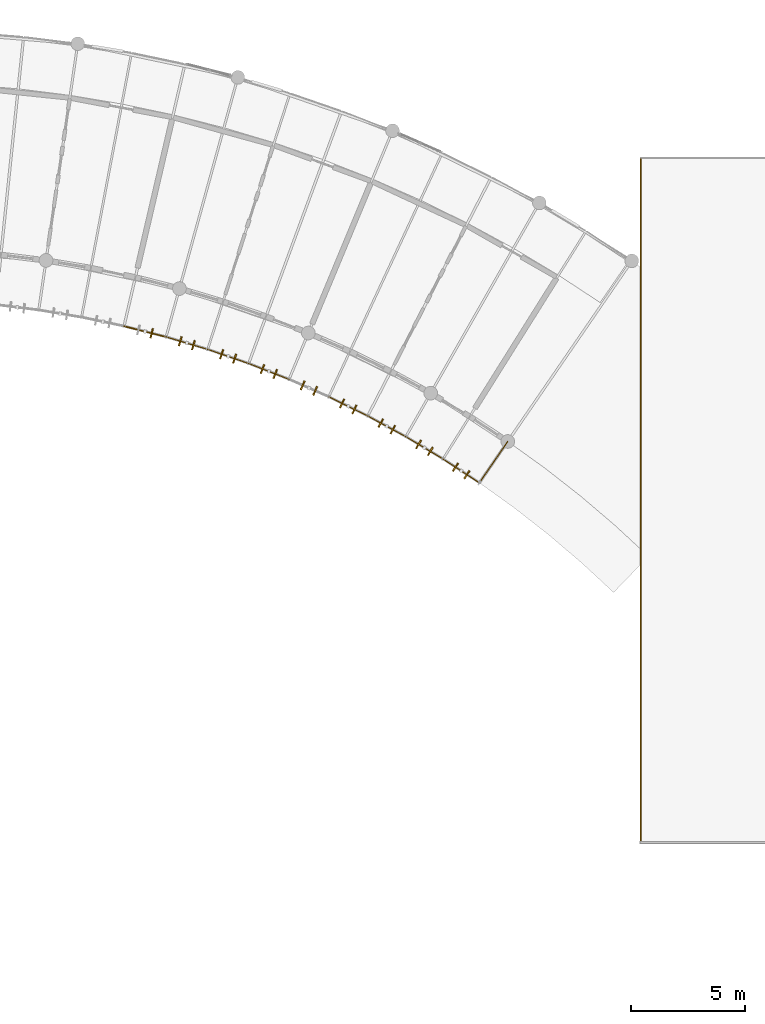
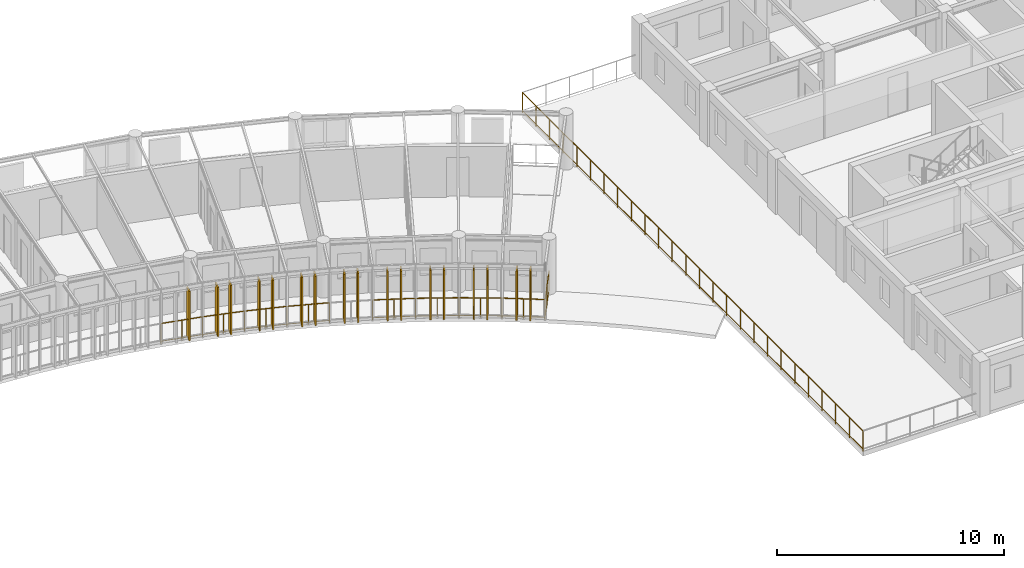
# One storey, part 99 of 101: 17 shading devices, 10 railings.
"""IFC4 building model written with IfcOpenShell, lengths in metres."""

from ifc_helpers import new_model, si_unit, direction, frame, origin, origin_2d, place, context, subcontext, project, spatial, rectangle, circle, extrude, material, layer, layer_set, type_object, element, save


model = new_model("IFC4")

# Units and contexts
model_context = context("Model", 3, precision=1e-05, world=origin(), true_north=direction((0.0, 1.0)))
body_context = subcontext(model_context, "Body", "Model", "MODEL_VIEW")
ifc_project = project(units=[si_unit("LENGTHUNIT", "METRE"), si_unit("AREAUNIT", "SQUARE_METRE"), si_unit("VOLUMEUNIT", "CUBIC_METRE"), si_unit("PLANEANGLEUNIT", "RADIAN"), si_unit("MASSUNIT", "GRAM", prefix="KILO"), si_unit("POWERUNIT", "WATT"), si_unit("THERMODYNAMICTEMPERATUREUNIT", "KELVIN")], contexts=[model_context])

# Site, building, storey
site_placement = place(None, origin())
site = spatial("IfcSite", under=ifc_project, at=site_placement, CompositionType="ELEMENT")
building_placement = place(site_placement, origin())
building = spatial("IfcBuilding", under=site, at=building_placement, Name="Ruvembo Vaulted Housing Court", CompositionType="ELEMENT")
storey_placement = place(building_placement, frame((0.0, 0.0, 17.300048828125)))
storey = spatial("IfcBuildingStorey", under=building, at=storey_placement, Name="L05", CompositionType="ELEMENT", Elevation=17.300048828125)

# Railings
ifc_material_1 = material(Name="Galvanised Painted Steel and Laminated Glass", Category="steel")
ifc_layer_1 = layer(ifc_material_1, 0.070068359375, Name="Galvanised Painted Steel and Laminated Glass")
ifc_layer_set_1 = layer_set([ifc_layer_1], Name="Galvanised Painted Steel and Laminated Glass")
railing_type_1 = type_object("IfcRailingType", Name="RL-BALUST-1120", PredefinedType="BALUSTRADE", material=ifc_layer_set_1)
railing_1_placement = place(storey_placement, frame((150.0, 72.0, 0.0)))
element("IfcRailing", 1, at=railing_1_placement, inside=storey, type_object=railing_type_1, Name="L05 Perimeter Guard RL-EXT-L05-0014", PredefinedType="BALUSTRADE", context=body_context, shape_type="SweptSolid", body=[
    extrude(circle(Radius=0.02392578125, at=origin_2d()), frame((0.0, 0.0, 1.09619140625), z_axis=(0.0, 1.0, 0.0), x_axis=(-1.0, 0.0, 0.0)), (0.0, 0.0, 1.0), 30.0),
    extrude(circle(Radius=0.01806640625, at=origin_2d()), frame((0.0, 0.0, 0.1201171875), z_axis=(0.0, 1.0, 0.0), x_axis=(-1.0, 0.0, 0.0)), (0.0, 0.0, 1.0), 30.0),
    extrude(circle(Radius=0.02099609375, at=origin_2d()), origin(), (0.0, 0.0, 1.0), 1.072021484375),
    extrude(circle(Radius=0.02099609375, at=origin_2d()), frame((0.0, 1.199951171875, 0.0)), (0.0, 0.0, 1.0), 1.072021484375),
    extrude(circle(Radius=0.02099609375, at=origin_2d()), frame((0.0, 2.39990234375, 0.0)), (0.0, 0.0, 1.0), 1.072021484375),
    extrude(circle(Radius=0.02099609375, at=origin_2d()), frame((0.0, 3.60009765625, 0.0)), (0.0, 0.0, 1.0), 1.072021484375),
    extrude(circle(Radius=0.02099609375, at=origin_2d()), frame((0.0, 4.800048828125, 0.0)), (0.0, 0.0, 1.0), 1.072021484375),
    extrude(circle(Radius=0.02099609375, at=origin_2d()), frame((0.0, 6.0, 0.0)), (0.0, 0.0, 1.0), 1.072021484375),
    extrude(circle(Radius=0.02099609375, at=origin_2d()), frame((0.0, 7.199951171875, 0.0)), (0.0, 0.0, 1.0), 1.072021484375),
    extrude(circle(Radius=0.02099609375, at=origin_2d()), frame((0.0, 8.39990234375, 0.0)), (0.0, 0.0, 1.0), 1.072021484375),
    extrude(circle(Radius=0.02099609375, at=origin_2d()), frame((0.0, 9.60009765625, 0.0)), (0.0, 0.0, 1.0), 1.072021484375),
    extrude(circle(Radius=0.02099609375, at=origin_2d()), frame((0.0, 10.800048828125, 0.0)), (0.0, 0.0, 1.0), 1.072021484375),
    extrude(circle(Radius=0.02099609375, at=origin_2d()), frame((0.0, 12.0, 0.0)), (0.0, 0.0, 1.0), 1.072021484375),
    extrude(circle(Radius=0.02099609375, at=origin_2d()), frame((0.0, 13.199951171875, 0.0)), (0.0, 0.0, 1.0), 1.072021484375),
    extrude(circle(Radius=0.02099609375, at=origin_2d()), frame((0.0, 14.39990234375, 0.0)), (0.0, 0.0, 1.0), 1.072021484375),
    extrude(circle(Radius=0.02099609375, at=origin_2d()), frame((0.0, 15.60009765625, 0.0)), (0.0, 0.0, 1.0), 1.072021484375),
    extrude(circle(Radius=0.02099609375, at=origin_2d()), frame((0.0, 16.800048828125, 0.0)), (0.0, 0.0, 1.0), 1.072021484375),
    extrude(circle(Radius=0.02099609375, at=origin_2d()), frame((0.0, 18.0, 0.0)), (0.0, 0.0, 1.0), 1.072021484375),
    extrude(circle(Radius=0.02099609375, at=origin_2d()), frame((0.0, 19.199951171875, 0.0)), (0.0, 0.0, 1.0), 1.072021484375),
    extrude(circle(Radius=0.02099609375, at=origin_2d()), frame((0.0, 20.39990234375, 0.0)), (0.0, 0.0, 1.0), 1.072021484375),
    extrude(circle(Radius=0.02099609375, at=origin_2d()), frame((0.0, 21.60009765625, 0.0)), (0.0, 0.0, 1.0), 1.072021484375),
    extrude(circle(Radius=0.02099609375, at=origin_2d()), frame((0.0, 22.800048828125, 0.0)), (0.0, 0.0, 1.0), 1.072021484375),
    extrude(circle(Radius=0.02099609375, at=origin_2d()), frame((0.0, 24.0, 0.0)), (0.0, 0.0, 1.0), 1.072021484375),
    extrude(circle(Radius=0.02099609375, at=origin_2d()), frame((0.0, 25.199951171875, 0.0)), (0.0, 0.0, 1.0), 1.072021484375),
    extrude(circle(Radius=0.02099609375, at=origin_2d()), frame((0.0, 26.39990234375, 0.0)), (0.0, 0.0, 1.0), 1.072021484375),
    extrude(circle(Radius=0.02099609375, at=origin_2d()), frame((0.0, 27.60009765625, 0.0)), (0.0, 0.0, 1.0), 1.072021484375),
    extrude(circle(Radius=0.02099609375, at=origin_2d()), frame((0.0, 28.800048828125, 0.0)), (0.0, 0.0, 1.0), 1.072021484375),
    extrude(circle(Radius=0.02099609375, at=origin_2d()), frame((0.0, 30.0, 0.0)), (0.0, 0.0, 1.0), 1.072021484375),
])
ifc_material_2 = material(Name="Galvanised Painted Steel S275", Category="steel")
ifc_layer_2 = layer(ifc_material_2, 0.06005859375, Name="Galvanised Painted Steel S275")
ifc_layer_set_2 = layer_set([ifc_layer_2], Name="Galvanised Painted Steel S275")
railing_type_2 = type_object("IfcRailingType", Name="RL-GUARD-1100", PredefinedType="GUARDRAIL", material=ifc_layer_set_2)
railing_2_placement = place(storey_placement, frame((127.365966796875, 94.611572265625, 0.0)))
element("IfcRailing", 2, at=railing_2_placement, inside=storey, type_object=railing_type_2, Name="L05 Perimeter Guard RL-EXT-L05-0791", PredefinedType="GUARDRAIL", context=body_context, shape_type="SweptSolid", body=[
    extrude(circle(Radius=0.02392578125, at=origin_2d()), frame((0.0, 0.0, 1.076171875), z_axis=(0.969121730429, -0.246582788553, 0.0), x_axis=(0.246582788553, 0.969121730429, 0.0)), (0.0, 0.0, 1.0), 1.90087890625),
    extrude(circle(Radius=0.01806640625, at=origin_2d()), frame((0.0, 0.0, 0.1201171875), z_axis=(0.969121730429, -0.246582788553, 0.0), x_axis=(0.246582788553, 0.969121730429, 0.0)), (0.0, 0.0, 1.0), 1.90087890625),
    extrude(circle(Radius=0.02099609375, at=origin_2d()), origin(), (0.0, 0.0, 1.0), 1.052001953125),
    extrude(circle(Radius=0.02099609375, at=origin_2d()), frame((0.921142578125, -0.234375, 0.0)), (0.0, 0.0, 1.0), 1.052001953125),
    extrude(circle(Radius=0.02099609375, at=origin_2d()), frame((1.84228515625, -0.46875, 0.0)), (0.0, 0.0, 1.0), 1.052001953125),
])
railing_3_placement = place(storey_placement, frame((129.208251953125, 94.142822265625, 0.0)))
element("IfcRailing", 3, at=railing_3_placement, inside=storey, type_object=railing_type_2, Name="L05 Perimeter Guard RL-EXT-L05-0792", PredefinedType="GUARDRAIL", context=body_context, shape_type="SweptSolid", body=[
    extrude(circle(Radius=0.02392578125, at=origin_2d()), frame((0.0, 0.0, 1.076171875), z_axis=(0.958108609181, -0.286405120439, 0.0), x_axis=(0.286405120439, 0.958108609181, 0.0)), (0.0, 0.0, 1.0), 1.90087890625),
    extrude(circle(Radius=0.01806640625, at=origin_2d()), frame((0.0, 0.0, 0.1201171875), z_axis=(0.958108609181, -0.286405120439, 0.0), x_axis=(0.286405120439, 0.958108609181, 0.0)), (0.0, 0.0, 1.0), 1.90087890625),
    extrude(circle(Radius=0.02099609375, at=origin_2d()), origin(), (0.0, 0.0, 1.0), 1.052001953125),
    extrude(circle(Radius=0.02099609375, at=origin_2d()), frame((0.91064453125, -0.272216796875, 0.0)), (0.0, 0.0, 1.0), 1.052001953125),
    extrude(circle(Radius=0.02099609375, at=origin_2d()), frame((1.8212890625, -0.54443359375, 0.0)), (0.0, 0.0, 1.0), 1.052001953125),
])
railing_4_placement = place(storey_placement, frame((131.029541015625, 93.598388671875, 0.0)))
element("IfcRailing", 4, at=railing_4_placement, inside=storey, type_object=railing_type_2, Name="L05 Perimeter Guard RL-EXT-L05-0793", PredefinedType="GUARDRAIL", context=body_context, shape_type="SweptSolid", body=[
    extrude(circle(Radius=0.02392578125, at=origin_2d()), frame((0.0, 0.0, 1.076171875), z_axis=(0.945357969834, -0.326034214264, 0.0), x_axis=(0.326034214264, 0.945357969834, 0.0)), (0.0, 0.0, 1.0), 1.9013671875),
    extrude(circle(Radius=0.01806640625, at=origin_2d()), frame((0.0, 0.0, 0.1201171875), z_axis=(0.945357969834, -0.326034214264, 0.0), x_axis=(0.326034214264, 0.945357969834, 0.0)), (0.0, 0.0, 1.0), 1.9013671875),
    extrude(circle(Radius=0.02099609375, at=origin_2d()), origin(), (0.0, 0.0, 1.0), 1.052001953125),
    extrude(circle(Radius=0.02099609375, at=origin_2d()), frame((0.898681640625, -0.31005859375, 0.0)), (0.0, 0.0, 1.0), 1.052001953125),
    extrude(circle(Radius=0.02099609375, at=origin_2d()), frame((1.79736328125, -0.619873046875, 0.0)), (0.0, 0.0, 1.0), 1.052001953125),
])
railing_5_placement = place(storey_placement, frame((132.826904296875, 92.978515625, 0.0)))
element("IfcRailing", 5, at=railing_5_placement, inside=storey, type_object=railing_type_2, Name="L05 Perimeter Guard RL-EXT-L05-0794", PredefinedType="GUARDRAIL", context=body_context, shape_type="SweptSolid", body=[
    extrude(circle(Radius=0.02392578125, at=origin_2d()), frame((0.0, 0.0, 1.076171875), z_axis=(0.931005720133, -0.365004587752, 0.0), x_axis=(0.365004587752, 0.931005720133, 0.0)), (0.0, 0.0, 1.0), 1.90087890625),
    extrude(circle(Radius=0.01806640625, at=origin_2d()), frame((0.0, 0.0, 0.1201171875), z_axis=(0.931005720133, -0.365004587752, 0.0), x_axis=(0.365004587752, 0.931005720133, 0.0)), (0.0, 0.0, 1.0), 1.90087890625),
    extrude(circle(Radius=0.02099609375, at=origin_2d()), origin(), (0.0, 0.0, 1.0), 1.052001953125),
    extrude(circle(Radius=0.02099609375, at=origin_2d()), frame((0.884765625, -0.346923828125, 0.0)), (0.0, 0.0, 1.0), 1.052001953125),
    extrude(circle(Radius=0.02099609375, at=origin_2d()), frame((1.769775390625, -0.69384765625, 0.0)), (0.0, 0.0, 1.0), 1.052001953125),
])
railing_6_placement = place(storey_placement, frame((136.336181640625, 91.51806640625, 0.0)))
element("IfcRailing", 6, at=railing_6_placement, inside=storey, type_object=railing_type_2, Name="L05 Perimeter Guard RL-EXT-L05-0796", PredefinedType="GUARDRAIL", context=body_context, shape_type="SweptSolid", body=[
    extrude(circle(Radius=0.02392578125, at=origin_2d()), frame((0.0, 0.0, 1.076171875), z_axis=(0.897513310314, -0.44098736695, 0.0), x_axis=(0.44098736695, 0.897513310314, 0.0)), (0.0, 0.0, 1.0), 1.901123046875),
    extrude(circle(Radius=0.01806640625, at=origin_2d()), frame((0.0, 0.0, 0.1201171875), z_axis=(0.897513310314, -0.44098736695, 0.0), x_axis=(0.44098736695, 0.897513310314, 0.0)), (0.0, 0.0, 1.0), 1.901123046875),
    extrude(circle(Radius=0.02099609375, at=origin_2d()), origin(), (0.0, 0.0, 1.0), 1.052001953125),
    extrude(circle(Radius=0.02099609375, at=origin_2d()), frame((0.85302734375, -0.419189453125, 0.0)), (0.0, 0.0, 1.0), 1.052001953125),
    extrude(circle(Radius=0.02099609375, at=origin_2d()), frame((1.706298828125, -0.83837890625, 0.0)), (0.0, 0.0, 1.0), 1.052001953125),
])
railing_7_placement = place(storey_placement, frame((138.04248046875, 90.6796875, 0.0)))
element("IfcRailing", 7, at=railing_7_placement, inside=storey, type_object=railing_type_2, Name="L05 Perimeter Guard RL-EXT-L05-0797", PredefinedType="GUARDRAIL", context=body_context, shape_type="SweptSolid", body=[
    extrude(circle(Radius=0.02392578125, at=origin_2d()), frame((0.0, 0.0, 1.076171875), z_axis=(0.878513214386, -0.477718046706, 0.0), x_axis=(0.477718046706, 0.878513214386, 0.0)), (0.0, 0.0, 1.0), 1.901123046875),
    extrude(circle(Radius=0.01806640625, at=origin_2d()), frame((0.0, 0.0, 0.1201171875), z_axis=(0.878513214386, -0.477718046706, 0.0), x_axis=(0.477718046706, 0.878513214386, 0.0)), (0.0, 0.0, 1.0), 1.901123046875),
    extrude(circle(Radius=0.02099609375, at=origin_2d()), origin(), (0.0, 0.0, 1.0), 1.052001953125),
    extrude(circle(Radius=0.02099609375, at=origin_2d()), frame((0.8349609375, -0.4541015625, 0.0)), (0.0, 0.0, 1.0), 1.052001953125),
    extrude(circle(Radius=0.02099609375, at=origin_2d()), frame((1.670166015625, -0.908203125, 0.0)), (0.0, 0.0, 1.0), 1.052001953125),
])
railing_8_placement = place(storey_placement, frame((139.712646484375, 89.771484375, 0.0)))
element("IfcRailing", 8, at=railing_8_placement, inside=storey, type_object=railing_type_2, Name="L05 Perimeter Guard RL-EXT-L05-0798", PredefinedType="GUARDRAIL", context=body_context, shape_type="SweptSolid", body=[
    extrude(circle(Radius=0.02392578125, at=origin_2d()), frame((0.0, 0.0, 1.076171875), z_axis=(0.857889282303, -0.513834583607, 0.0), x_axis=(0.513834583607, 0.857889282303, 0.0)), (0.0, 0.0, 1.0), 1.901123046875),
    extrude(circle(Radius=0.01806640625, at=origin_2d()), frame((0.0, 0.0, 0.1201171875), z_axis=(0.857889282303, -0.513834583607, 0.0), x_axis=(0.513834583607, 0.857889282303, 0.0)), (0.0, 0.0, 1.0), 1.901123046875),
    extrude(circle(Radius=0.02099609375, at=origin_2d()), origin(), (0.0, 0.0, 1.0), 1.052001953125),
    extrude(circle(Radius=0.02099609375, at=origin_2d()), frame((0.8154296875, -0.48828125, 0.0)), (0.0, 0.0, 1.0), 1.052001953125),
    extrude(circle(Radius=0.02099609375, at=origin_2d()), frame((1.630859375, -0.976806640625, 0.0)), (0.0, 0.0, 1.0), 1.052001953125),
])
railing_9_placement = place(storey_placement, frame((141.343505859375, 88.794677734375, 0.0)))
element("IfcRailing", 9, at=railing_9_placement, inside=storey, type_object=railing_type_2, Name="L05 Perimeter Guard RL-EXT-L05-0799", PredefinedType="GUARDRAIL", context=body_context, shape_type="SweptSolid", body=[
    extrude(circle(Radius=0.02392578125, at=origin_2d()), frame((0.0, 0.0, 1.076171875), z_axis=(0.835902452778, -0.548878027834, 0.0), x_axis=(0.548878027834, 0.835902452778, 0.0)), (0.0, 0.0, 1.0), 1.901123046875),
    extrude(circle(Radius=0.01806640625, at=origin_2d()), frame((0.0, 0.0, 0.1201171875), z_axis=(0.835902452778, -0.548878027834, 0.0), x_axis=(0.548878027834, 0.835902452778, 0.0)), (0.0, 0.0, 1.0), 1.901123046875),
    extrude(circle(Radius=0.02099609375, at=origin_2d()), origin(), (0.0, 0.0, 1.0), 1.052001953125),
    extrude(circle(Radius=0.02099609375, at=origin_2d()), frame((0.79443359375, -0.521728515625, 0.0)), (0.0, 0.0, 1.0), 1.052001953125),
    extrude(circle(Radius=0.02099609375, at=origin_2d()), frame((1.589111328125, -1.04345703125, 0.0)), (0.0, 0.0, 1.0), 1.052001953125),
])
railing_10_placement = place(storey_placement, frame((142.9326171875, 87.751220703125, 0.0)))
element("IfcRailing", 10, at=railing_10_placement, inside=storey, type_object=railing_type_2, Name="L05 Perimeter Guard RL-EXT-L05-0800", PredefinedType="GUARDRAIL", context=body_context, shape_type="SweptSolid", body=[
    extrude(circle(Radius=0.02392578125, at=origin_2d()), frame((0.0, 0.0, 1.076171875), z_axis=(0.566222630619, 0.82425234763, 0.0), x_axis=(-0.82425234763, 0.566222630619, 0.0)), (0.0, 0.0, 1.0), 2.199951171875),
    extrude(circle(Radius=0.01806640625, at=origin_2d()), frame((0.0, 0.0, 0.1201171875), z_axis=(0.566222630619, 0.82425234763, 0.0), x_axis=(-0.82425234763, 0.566222630619, 0.0)), (0.0, 0.0, 1.0), 2.199951171875),
    extrude(circle(Radius=0.02099609375, at=origin_2d()), origin(), (0.0, 0.0, 1.0), 1.052001953125),
    extrude(circle(Radius=0.02099609375, at=origin_2d()), frame((0.622802734375, 0.90673828125, 0.0)), (0.0, 0.0, 1.0), 1.052001953125),
    extrude(circle(Radius=0.02099609375, at=origin_2d()), frame((1.24560546875, 1.813232421875, 0.0)), (0.0, 0.0, 1.0), 1.052001953125),
])

# Shading devices
ifc_material_3 = material(Name="Kiln-Fired Terracotta Extrusion", Category="masonry")
shading_device_type = type_object("IfcShadingDeviceType", Name="SHD-FIN-420", PredefinedType="USERDEFINED", material=ifc_material_3)
for number, where, z_axis, x_axis, name in (
    (11, (128.577880859375, 94.30322265625, 0.050048828125), (0.0, 0.0, 1.0), (-0.246491603437, -0.969144926951, 0.0), "Terracotta Brise-Soleil Fin #744"),
    (12, (129.83154296875, 93.95654296875, 0.050048828125), (0.0, 0.0, 1.0), (-0.2864911095, -0.958082900472, 0.0), "Terracotta Brise-Soleil Fin #745"),
    (13, (130.406494140625, 93.78466796875, 0.050048828125), (0.0, 0.0, 1.0), (-0.2864911095, -0.958082900472, 0.0), "Terracotta Brise-Soleil Fin #746"),
    (14, (131.64453125, 93.38623046875, 0.050048828125), (0.0, 0.0, 1.0), (-0.326030183107, -0.945359360087, 0.0), "Terracotta Brise-Soleil Fin #747"),
    (15, (132.2119140625, 93.190673828125, 0.050048828125), (0.0, 0.0, 1.0), (-0.326030183107, -0.945359360087, 0.0), "Terracotta Brise-Soleil Fin #748"),
    (16, (133.432373046875, 92.7412109375, 0.050048828125), (0.0, 0.0, 1.0), (-0.364958032896, -0.931023970811, 0.0), "Terracotta Brise-Soleil Fin #749"),
    (17, (133.9912109375, 92.522216796875, 0.050048828125), (0.0, 0.0, 1.0), (-0.364958032896, -0.931023970811, 0.0), "Terracotta Brise-Soleil Fin #750"),
    (18, (135.19189453125, 92.022216796875, 0.050048828125), (0.0, 0.0, 1.0), (-0.403305746645, -0.915065284405, 0.0), "Terracotta Brise-Soleil Fin #751"),
    (19, (135.740966796875, 91.780517578125, 0.050048828125), (0.0, 0.0, 1.0), (-0.403305746645, -0.915065284405, 0.0), "Terracotta Brise-Soleil Fin #752"),
    (20, (136.920166015625, 91.231201171875, 0.050048828125), (0.0, 0.0, 1.0), (-0.440910671447, -0.897550990086, 0.0), "Terracotta Brise-Soleil Fin #753"),
    (21, (137.458740234375, 90.966552734375, 0.050048828125), (0.0, 0.0, 1.0), (-0.440910671447, -0.897550990086, 0.0), "Terracotta Brise-Soleil Fin #754"),
    (22, (138.614013671875, 90.368896484375, 0.050048828125), (0.0, 0.0, 1.0), (-0.477787506376, -0.878475440038, 0.0), "Terracotta Brise-Soleil Fin #755"),
    (23, (139.14111328125, 90.082275390625, 0.050048828125), (0.0, 0.0, 1.0), (-0.477787506376, -0.878475440038, 0.0), "Terracotta Brise-Soleil Fin #756"),
    (24, (140.270751953125, 89.437255859375, 0.050048828125), (0.0, 0.0, 1.0), (-0.513825768915, -0.857894561819, 0.0), "Terracotta Brise-Soleil Fin #757"),
    (25, (140.785400390625, 89.12890625, 0.050048828125), (0.0, 0.0, 1.0), (-0.513825768915, -0.857894561819, 0.0), "Terracotta Brise-Soleil Fin #758"),
    (26, (141.88720703125, 88.4375, 0.050048828125), (0.0, 0.0, 1.0), (-0.548964466299, -0.835845688355, 0.0), "Terracotta Brise-Soleil Fin #759"),
    (27, (142.388916015625, 88.108154296875, 0.050048828125), (0.0, 0.0, 1.0), (-0.548964466299, -0.835845688355, 0.0), "Terracotta Brise-Soleil Fin #760"),
):
    element("IfcShadingDevice", number, at=place(storey_placement, frame(where, z_axis=z_axis, x_axis=x_axis)), inside=storey, type_object=shading_device_type, Name=name, ObjectType="FIN", PredefinedType="USERDEFINED", context=body_context, shape_type="SweptSolid", body=[
        extrude(rectangle(XDim=0.419921875, YDim=0.06494140625, at=origin_2d()), origin(), (0.0, 0.0, 1.0), 2.64501953125),
    ])

save(model, "model.ifc")
